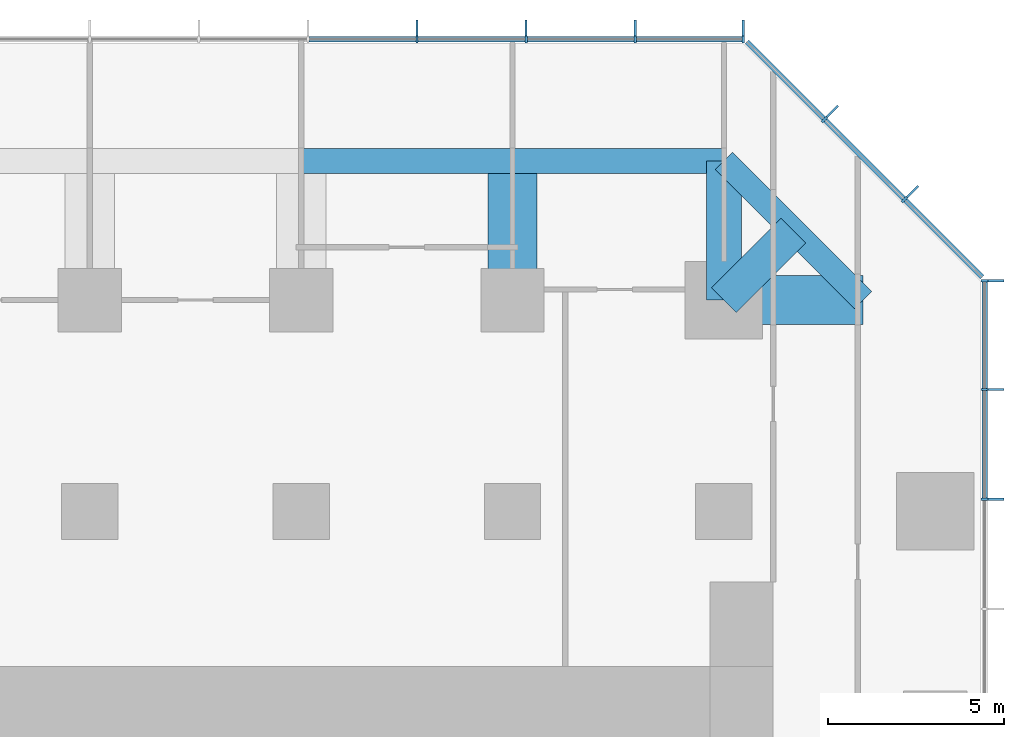
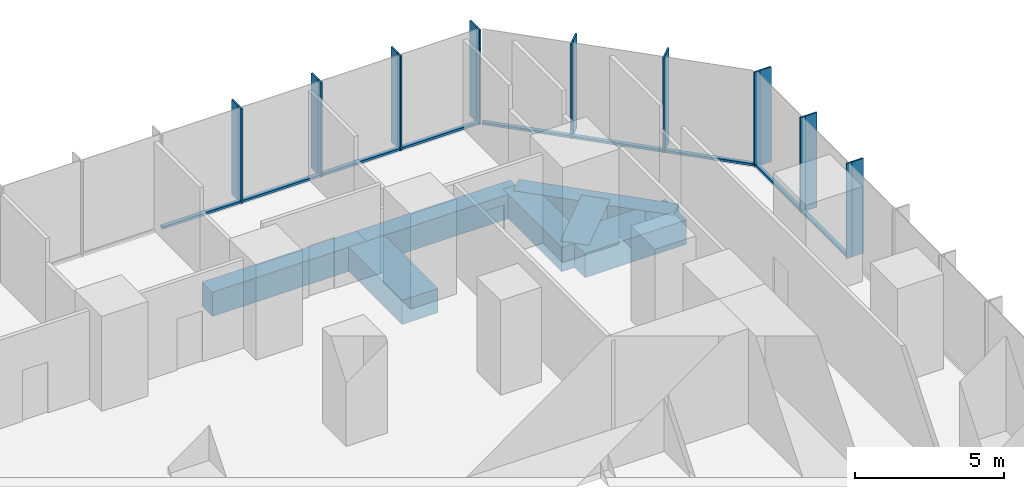
# One storey, part 6 of 11: 27 members, 7 beams, 3 elements without a shape of their own.
"""IFC4 building model written with IfcOpenShell, lengths in metres."""

import ifcopenshell
import ifcopenshell.guid

model = None  # the IFC model being written
_history = None  # IfcOwnerHistory: only IFC2X3 demands one
_inside = {}  # id of a spatial element -> (the spatial element, [elements in it])
_under = {}  # id of a project, library or spatial element -> (it, [spatial elements below it])
_declared = {}  # id of a project -> (the project, [libraries it declares])
_typed = {}  # id of a type object -> (the type object, [elements of that type])
_made_of = {}  # id of a material, layer set ... -> (it, [elements and type objects made of it])


def new_model(schema):
    """Start an empty IFC model of exactly this schema.

    Asked for "IFC4X3", IfcOpenShell would pick the latest addendum, in which some entities
    have other attributes; the version numbers below select the first issue.
    IFC2X3 requires an IfcOwnerHistory on every rooted entity: one is made here for all.
    """
    global model, _history
    if schema == "IFC4X3":
        model = ifcopenshell.file(schema_version=(4, 3, 0, 0))
    else:
        model = ifcopenshell.file(schema=schema)
    _inside.clear()
    _under.clear()
    _declared.clear()
    _typed.clear()
    _made_of.clear()
    _history = None
    if model.schema == "IFC2X3":
        org = make("IfcOrganization", Name="unknown")
        user = make(
            "IfcPersonAndOrganization",
            ThePerson=make("IfcPerson", FamilyName="unknown"),
            TheOrganization=org,
        )
        app = make(
            "IfcApplication",
            ApplicationDeveloper=org,
            Version="unknown",
            ApplicationFullName="unknown",
            ApplicationIdentifier="unknown",
        )
        _history = make(
            "IfcOwnerHistory",
            OwningUser=user,
            OwningApplication=app,
            ChangeAction="ADDED",
            CreationDate=0,
        )
    return model


def make(cls, **values):
    """One entity of the class cls with the attributes given. An attribute that is None is left unset."""
    return model.create_entity(
        cls, **{name: value for name, value in values.items() if value is not None}
    )


def rooted(cls, **values):
    """An entity with a GlobalId (a new one), such as an element, a storey or a relation."""
    return make(cls, GlobalId=ifcopenshell.guid.new(), OwnerHistory=_history, **values)


def si_unit(unit_type, name, prefix=None):
    """IfcSIUnit, for example si_unit("LENGTHUNIT", "METRE", prefix="MILLI")."""
    return make("IfcSIUnit", UnitType=unit_type, Prefix=prefix, Name=name)


def assignment(units):
    """IfcUnitAssignment: the units of a project."""
    return None if units is None else make("IfcUnitAssignment", Units=units)


def point(xyz):
    """IfcCartesianPoint."""
    return None if xyz is None else make("IfcCartesianPoint", Coordinates=xyz)


def direction(xyz):
    """IfcDirection."""
    return None if xyz is None else make("IfcDirection", DirectionRatios=xyz)


def frame(location, z_axis=None, x_axis=None):
    """IfcAxis2Placement3D, a coordinate frame: its origin and axes. An axis left out is left unset."""
    return make(
        "IfcAxis2Placement3D",
        Location=point(location),
        Axis=direction(z_axis),
        RefDirection=direction(x_axis),
    )


def frame_2d(location, x_axis=None):
    """IfcAxis2Placement2D, a coordinate frame in the plane: its origin and x axis."""
    return make(
        "IfcAxis2Placement2D", Location=point(location), RefDirection=direction(x_axis)
    )


def origin():
    """The frame at (0, 0, 0) with its axes left unset."""
    return frame((0.0, 0.0, 0.0))


def origin_2d():
    """The frame at (0, 0) in the plane with its x axis left unset."""
    return frame_2d((0.0, 0.0))


def place(relative_to, where):
    """IfcLocalPlacement: puts the frame where relative to a parent placement (None: the world)."""
    return make(
        "IfcLocalPlacement", PlacementRelTo=relative_to, RelativePlacement=where
    )


def context(
    kind, dimensions, precision=None, world=None, true_north=None, identifier=None
):
    """IfcGeometricRepresentationContext, for example the 3D "Model" context."""
    return make(
        "IfcGeometricRepresentationContext",
        ContextIdentifier=identifier,
        ContextType=kind,
        CoordinateSpaceDimension=dimensions,
        Precision=precision,
        WorldCoordinateSystem=world,
        TrueNorth=true_north,
    )


def subcontext(parent, identifier, kind, view, scale=None):
    """IfcGeometricRepresentationSubContext, for example "Body" below "Model"."""
    return make(
        "IfcGeometricRepresentationSubContext",
        ContextIdentifier=identifier,
        ContextType=kind,
        ParentContext=parent,
        TargetScale=scale,
        TargetView=view,
    )


def project(units=None, contexts=None):
    """IfcProject with its units and contexts."""
    return rooted(
        "IfcProject",
        Name="project",
        RepresentationContexts=contexts,
        UnitsInContext=assignment(units),
    )


def spatial(cls, under=None, at=None, **own):
    """A site, building, storey or space (cls), placed at a placement, below another one or the project."""
    s = rooted(cls, ObjectPlacement=at, **own)
    if under is not None:
        _under.setdefault(under.id(), (under, []))[1].append(s)
    return s


def profile(cls, at=None, kind="AREA", **sizes):
    """A parametric profile (cls). Its sizes go by their IFC names, for example OverallWidth=200.0."""
    return make(cls, ProfileType=kind, Position=at, **sizes)


def rectangle(**sizes):
    """IfcRectangleProfileDef."""
    return profile("IfcRectangleProfileDef", **sizes)


def extrude(swept, where, along, depth):
    """IfcExtrudedAreaSolid: the profile swept, set in the frame where, extruded along a direction by depth."""
    return make(
        "IfcExtrudedAreaSolid",
        SweptArea=swept,
        Position=where,
        ExtrudedDirection=direction(along),
        Depth=depth,
    )


def shape(context_of_items, identifier, shape_type, items):
    """IfcShapeRepresentation: the items that make up one representation, for example the "Body"."""
    return make(
        "IfcShapeRepresentation",
        ContextOfItems=context_of_items,
        RepresentationIdentifier=identifier,
        RepresentationType=shape_type,
        Items=items,
    )


def material(Name=None, Category=None):
    """IfcMaterial."""
    return make("IfcMaterial", Name=Name, Category=Category)


def layer(
    of_material, thickness, ventilated=None, Name=None, Category=None, Priority=None
):
    """IfcMaterialLayer: one layer of a wall or slab, of a material (None: an air gap)."""
    return make(
        "IfcMaterialLayer",
        Material=of_material,
        LayerThickness=thickness,
        IsVentilated=ventilated,
        Name=Name,
        Category=Category,
        Priority=Priority,
    )


def layer_set(layers, Name=None):
    """IfcMaterialLayerSet."""
    return make("IfcMaterialLayerSet", MaterialLayers=layers, LayerSetName=Name)


def material_profile(
    of_material, cross_section, Name=None, Category=None, Priority=None
):
    """IfcMaterialProfile: a cross section and its material."""
    return make(
        "IfcMaterialProfile",
        Name=Name,
        Material=of_material,
        Profile=cross_section,
        Priority=Priority,
        Category=Category,
    )


def profile_set(profiles, Name=None, composite=None):
    """IfcMaterialProfileSet."""
    return make(
        "IfcMaterialProfileSet",
        Name=Name,
        MaterialProfiles=profiles,
        CompositeProfile=composite,
    )


def made_of(thing, what):
    """Note that an element or type object is made of a material, layer set ...; save() writes the relation."""
    if what is not None:
        _made_of.setdefault(what.id(), (what, []))[1].append(thing)
    return thing


def type_object(cls, material=None, **own):
    """A type object (cls), such as IfcWallType, which elements share."""
    return made_of(rooted(cls, **own), material)


def element(
    cls,
    number,
    at=None,
    inside=None,
    cuts=None,
    type_object=None,
    material=None,
    context=None,
    identifier="Body",
    shape_type=None,
    held_by="IfcProductDefinitionShape",
    body=None,
    shapes=None,
    **own,
):
    """One element of the class cls, such as IfcWall. Its Tag is "e" and its number.

    at: its placement. inside: the storey or other place that contains it. cuts: it is an
    opening in that element (IfcRelVoidsElement). A single representation is given by context,
    identifier, shape_type and body (its items); several are given by shapes. held_by: the class
    of the entity that holds the representations. save() writes the other relations.
    """
    e = rooted(cls, Tag="e%d" % number, ObjectPlacement=at, **own)
    if body is not None:
        shapes = [shape(context, identifier, shape_type, body)]
    if shapes is not None:
        e.Representation = make(held_by, Representations=shapes)
    if inside is not None:
        _inside.setdefault(inside.id(), (inside, []))[1].append(e)
    if cuts is not None:
        rooted(
            "IfcRelVoidsElement", RelatingBuildingElement=cuts, RelatedOpeningElement=e
        )
    if type_object is not None:
        _typed.setdefault(type_object.id(), (type_object, []))[1].append(e)
    return made_of(e, material)


def aggregate(whole, parts):
    """IfcRelAggregates: a whole, such as a stair, and the parts it consists of."""
    return rooted("IfcRelAggregates", RelatingObject=whole, RelatedObjects=parts)


def save(model, path):
    """Write the relations noted so far, then the file.

    IfcRelAggregates (storeys below a building ...), IfcRelContainedInSpatialStructure (elements
    in a storey), IfcRelDefinesByType, IfcRelAssociatesMaterial and IfcRelDeclares: one each for
    every whole, place, type object, material and project.
    """
    for whole, parts in _under.values():
        aggregate(whole, parts)
    for where, things in _inside.values():
        rooted(
            "IfcRelContainedInSpatialStructure",
            RelatedElements=things,
            RelatingStructure=where,
        )
    for kind, things in _typed.values():
        rooted("IfcRelDefinesByType", RelatedObjects=things, RelatingType=kind)
    for what, things in _made_of.values():
        rooted("IfcRelAssociatesMaterial", RelatedObjects=things, RelatingMaterial=what)
    for by, libraries in _declared.values():
        rooted("IfcRelDeclares", RelatingContext=by, RelatedDefinitions=libraries)
    model.write(path)


model = new_model("IFC4")

# Units and contexts
model_context = context("Model", 3, precision=1e-05, world=origin(), true_north=direction((0.0, 1.0)))
body_context = subcontext(model_context, "Body", "Model", "MODEL_VIEW")
ifc_project = project(units=[si_unit("LENGTHUNIT", "METRE"), si_unit("AREAUNIT", "SQUARE_METRE"), si_unit("VOLUMEUNIT", "CUBIC_METRE"), si_unit("PLANEANGLEUNIT", "RADIAN"), si_unit("MASSUNIT", "GRAM", prefix="KILO")], contexts=[model_context])

# Site, building, storey
site_placement = place(None, origin())
site = spatial("IfcSite", under=ifc_project, at=site_placement, CompositionType="ELEMENT")
building_placement = place(site_placement, origin())
building = spatial("IfcBuilding", under=site, at=building_placement, Name="Highveld Stack Headquarters", CompositionType="ELEMENT")
storey_placement = place(building_placement, frame((0.0, 0.0, 97.699951171875)))
storey = spatial("IfcBuildingStorey", under=building, at=storey_placement, Name="L23", CompositionType="ELEMENT", Elevation=97.699951171875)

# Beams
ifc_material_1 = material(Name="Concrete C60/75", Category="concrete")
ifc_material_profile_1 = material_profile(ifc_material_1, rectangle(XDim=1.0, YDim=1.0, at=origin_2d()), Name="RC 1000x1000")
ifc_profile_set_1 = profile_set([ifc_material_profile_1], Name="Concrete C60/75")
beam_type_1 = type_object("IfcBeamType", Name="CANTILEVER RIB RC 1000x1000", PredefinedType="USERDEFINED", material=ifc_profile_set_1)
beam_1_placement = place(storey_placement, frame((18.0, 24.0, -0.75), z_axis=(0.0, 1.0, 0.0), x_axis=(-1.0, 0.0, 0.0)))
element("IfcBeam", 1, at=beam_1_placement, inside=storey, type_object=beam_type_1, Name="Cantilever rib 9/J L23", ObjectType="CANTILEVER RIB", PredefinedType="USERDEFINED", context=body_context, shape_type="SweptSolid", body=[
    extrude(rectangle(XDim=1.0, YDim=1.0, at=origin_2d()), origin(), (0.0, 0.0, 1.0), 3.949951171875),
])
beam_2_placement = place(storey_placement, frame((18.0, 24.0, -0.75), z_axis=(0.707106781187, 0.707106781187, 0.0), x_axis=(-0.707106781187, 0.707106781187, 0.0)))
element("IfcBeam", 2, at=beam_2_placement, inside=storey, type_object=beam_type_1, Name="Cantilever rib 9/J L23", ObjectType="CANTILEVER RIB", PredefinedType="USERDEFINED", context=body_context, shape_type="SweptSolid", body=[
    extrude(rectangle(XDim=1.0, YDim=1.0, at=origin_2d()), origin(), (0.0, 0.0, 1.0), 2.793212890625),
])
ifc_material_2 = material(Name="Concrete C60/75", Category="concrete")
ifc_material_profile_2 = material_profile(ifc_material_2, rectangle(XDim=1.39990234375, YDim=1.0, at=origin_2d()), Name="RC 1400x1000")
ifc_profile_set_2 = profile_set([ifc_material_profile_2], Name="Concrete C60/75")
beam_type_2 = type_object("IfcBeamType", Name="CANTILEVER RIB RC 1400x1000", PredefinedType="USERDEFINED", material=ifc_profile_set_2)
for number, where, z_axis, x_axis, name in (
    (3, (12.0, 24.0, -0.75), (0.0, 1.0, 0.0), (-1.0, 0.0, 0.0), "Cantilever rib 8/J L23"),
    (4, (18.0, 24.0, -0.75), (1.0, 0.0, 0.0), (0.0, 1.0, 0.0), "Cantilever rib 9/J L23"),
):
    element("IfcBeam", number, at=place(storey_placement, frame(where, z_axis=z_axis, x_axis=x_axis)), inside=storey, type_object=beam_type_2, Name=name, ObjectType="CANTILEVER RIB", PredefinedType="USERDEFINED", context=body_context, shape_type="SweptSolid", body=[
        extrude(rectangle(XDim=1.39990234375, YDim=1.0, at=origin_2d()), origin(), (0.0, 0.0, 1.0), 3.949951171875),
    ])

# Curtain wall, members
ifc_material_3 = material(Name="Aluminium bronze anodised", Category="aluminium")
ifc_layer_1 = layer(ifc_material_3, 0.199951171875)
ifc_layer_set_1 = layer_set([ifc_layer_1], Name="Aluminium bronze anodised")
curtain_wall_type_1 = type_object("IfcCurtainWallType", Name="CW1 TOWER UNITISED CURTAIN WALL", PredefinedType="NOTDEFINED", material=ifc_layer_set_1)
curtain_wall_1_placement = place(storey_placement, origin())
curtain_wall_1 = element("IfcCurtainWall", 5, at=curtain_wall_1_placement, inside=storey, type_object=curtain_wall_type_1, Name="Curtain wall CW1 L23 E", PredefinedType="NOTDEFINED")
ifc_material_4 = material(Name="Aluminium bronze anodised", Category="aluminium")
ifc_material_profile_3 = material_profile(ifc_material_4, rectangle(XDim=0.449951171875, YDim=0.06005859375, at=origin_2d()), Name="FIN 450x60")
ifc_profile_set_3 = profile_set([ifc_material_profile_3], Name="Aluminium bronze anodised")
member_type_1 = type_object("IfcMemberType", Name="CW1 BRONZE FIN 450x60", PredefinedType="USERDEFINED", material=ifc_profile_set_3)
member_1_placement = place(storey_placement, frame((25.72509765625, 18.347900390625, 0.0), z_axis=(0.0, 0.0, 1.0), x_axis=(-1.0, 0.0, 0.0)))
member_1 = element("IfcMember", 6, at=member_1_placement, type_object=member_type_1, Name="CW1 fin L23 9", ObjectType="FIN", PredefinedType="USERDEFINED", context=body_context, shape_type="SweptSolid", body=[
    extrude(rectangle(XDim=0.449951171875, YDim=0.06005859375, at=origin_2d()), origin(), (0.0, 0.0, 1.0), 3.900146484375),
])
member_2_placement = place(storey_placement, frame((25.72509765625, 21.4638671875, 0.0), z_axis=(0.0, 0.0, 1.0), x_axis=(-1.0, 0.0, 0.0)))
member_2 = element("IfcMember", 7, at=member_2_placement, type_object=member_type_1, Name="CW1 fin L23 10", ObjectType="FIN", PredefinedType="USERDEFINED", context=body_context, shape_type="SweptSolid", body=[
    extrude(rectangle(XDim=0.449951171875, YDim=0.06005859375, at=origin_2d()), origin(), (0.0, 0.0, 1.0), 3.900146484375),
])
member_3_placement = place(storey_placement, frame((25.72509765625, 24.54736328125, 0.0), z_axis=(0.0, 0.0, 1.0), x_axis=(-1.0, 0.0, 0.0)))
member_3 = element("IfcMember", 8, at=member_3_placement, type_object=member_type_1, Name="CW1 fin L23 11", ObjectType="FIN", PredefinedType="USERDEFINED", context=body_context, shape_type="SweptSolid", body=[
    extrude(rectangle(XDim=0.449951171875, YDim=0.06005859375, at=origin_2d()), origin(), (0.0, 0.0, 1.0), 3.900146484375),
])

curtain_wall_2_placement = place(storey_placement, origin())
curtain_wall_2 = element("IfcCurtainWall", 9, at=curtain_wall_2_placement, inside=storey, type_object=curtain_wall_type_1, Name="Curtain wall CW1 L23 N", PredefinedType="NOTDEFINED")
member_4_placement = place(storey_placement, frame((18.54736328125, 31.72509765625, 0.0), z_axis=(0.0, 0.0, 1.0), x_axis=(0.0, -1.0, 0.0)))
member_4 = element("IfcMember", 10, at=member_4_placement, type_object=member_type_1, Name="CW1 fin L23 1", ObjectType="FIN", PredefinedType="USERDEFINED", context=body_context, shape_type="SweptSolid", body=[
    extrude(rectangle(XDim=0.449951171875, YDim=0.06005859375, at=origin_2d()), origin(), (0.0, 0.0, 1.0), 3.900146484375),
])
member_5_placement = place(storey_placement, frame((15.483154296875, 31.72509765625, 0.0), z_axis=(0.0, 0.0, 1.0), x_axis=(0.0, -1.0, 0.0)))
member_5 = element("IfcMember", 11, at=member_5_placement, type_object=member_type_1, Name="CW1 fin L23 2", ObjectType="FIN", PredefinedType="USERDEFINED", context=body_context, shape_type="SweptSolid", body=[
    extrude(rectangle(XDim=0.449951171875, YDim=0.06005859375, at=origin_2d()), origin(), (0.0, 0.0, 1.0), 3.900146484375),
])
member_6_placement = place(storey_placement, frame((12.38671875, 31.72509765625, 0.0), z_axis=(0.0, 0.0, 1.0), x_axis=(0.0, -1.0, 0.0)))
member_6 = element("IfcMember", 12, at=member_6_placement, type_object=member_type_1, Name="CW1 fin L23 3", ObjectType="FIN", PredefinedType="USERDEFINED", context=body_context, shape_type="SweptSolid", body=[
    extrude(rectangle(XDim=0.449951171875, YDim=0.06005859375, at=origin_2d()), origin(), (0.0, 0.0, 1.0), 3.900146484375),
])
member_7_placement = place(storey_placement, frame((9.289794921875, 31.72509765625, 0.0), z_axis=(0.0, 0.0, 1.0), x_axis=(0.0, -1.0, 0.0)))
member_7 = element("IfcMember", 13, at=member_7_placement, type_object=member_type_1, Name="CW1 fin L23 4", ObjectType="FIN", PredefinedType="USERDEFINED", context=body_context, shape_type="SweptSolid", body=[
    extrude(rectangle(XDim=0.449951171875, YDim=0.06005859375, at=origin_2d()), origin(), (0.0, 0.0, 1.0), 3.900146484375),
])

# Member
ifc_material_5 = material(Name="Aluminium bronze anodised", Category="aluminium")
ifc_material_profile_4 = material_profile(ifc_material_5, rectangle(XDim=0.199951171875, YDim=0.06494140625, at=origin_2d()), Name="CW1 MULLION 65x200")
ifc_profile_set_4 = profile_set([ifc_material_profile_4], Name="Aluminium bronze anodised")
member_type_2 = type_object("IfcMemberType", Name="CW1 MULLION 65x200", PredefinedType="MULLION", material=ifc_profile_set_4)
member_8_placement = place(storey_placement, frame((25.39990234375, 18.347900390625, 0.0), z_axis=(0.0, 0.0, 1.0), x_axis=(-1.0, 0.0, 0.0)))
member_8 = element("IfcMember", 14, at=member_8_placement, type_object=member_type_2, Name="CW1 mullion L23 9", PredefinedType="MULLION", context=body_context, shape_type="SweptSolid", body=[
    extrude(rectangle(XDim=0.199951171875, YDim=0.06494140625, at=origin_2d()), origin(), (0.0, 0.0, 1.0), 3.900146484375),
])

member_9_placement = place(storey_placement, frame((25.39990234375, 21.4638671875, 0.0), z_axis=(0.0, 0.0, 1.0), x_axis=(-1.0, 0.0, 0.0)))
member_9 = element("IfcMember", 15, at=member_9_placement, type_object=member_type_2, Name="CW1 mullion L23 10", PredefinedType="MULLION", context=body_context, shape_type="SweptSolid", body=[
    extrude(rectangle(XDim=0.199951171875, YDim=0.06494140625, at=origin_2d()), origin(), (0.0, 0.0, 1.0), 3.900146484375),
])

member_10_placement = place(storey_placement, frame((25.39990234375, 24.54736328125, 0.0), z_axis=(0.0, 0.0, 1.0), x_axis=(-1.0, 0.0, 0.0)))
member_10 = element("IfcMember", 16, at=member_10_placement, type_object=member_type_2, Name="CW1 mullion L23 11", PredefinedType="MULLION", context=body_context, shape_type="SweptSolid", body=[
    extrude(rectangle(XDim=0.199951171875, YDim=0.06494140625, at=origin_2d()), origin(), (0.0, 0.0, 1.0), 3.900146484375),
])

member_11_placement = place(storey_placement, frame((18.54736328125, 31.39990234375, 0.0), z_axis=(0.0, 0.0, 1.0), x_axis=(0.0, -1.0, 0.0)))
member_11 = element("IfcMember", 17, at=member_11_placement, type_object=member_type_2, Name="CW1 mullion L23 1", PredefinedType="MULLION", context=body_context, shape_type="SweptSolid", body=[
    extrude(rectangle(XDim=0.199951171875, YDim=0.06494140625, at=origin_2d()), origin(), (0.0, 0.0, 1.0), 3.900146484375),
])

member_12_placement = place(storey_placement, frame((15.483154296875, 31.39990234375, 0.0), z_axis=(0.0, 0.0, 1.0), x_axis=(0.0, -1.0, 0.0)))
member_12 = element("IfcMember", 18, at=member_12_placement, type_object=member_type_2, Name="CW1 mullion L23 2", PredefinedType="MULLION", context=body_context, shape_type="SweptSolid", body=[
    extrude(rectangle(XDim=0.199951171875, YDim=0.06494140625, at=origin_2d()), origin(), (0.0, 0.0, 1.0), 3.900146484375),
])

member_13_placement = place(storey_placement, frame((12.38671875, 31.39990234375, 0.0), z_axis=(0.0, 0.0, 1.0), x_axis=(0.0, -1.0, 0.0)))
member_13 = element("IfcMember", 19, at=member_13_placement, type_object=member_type_2, Name="CW1 mullion L23 3", PredefinedType="MULLION", context=body_context, shape_type="SweptSolid", body=[
    extrude(rectangle(XDim=0.199951171875, YDim=0.06494140625, at=origin_2d()), origin(), (0.0, 0.0, 1.0), 3.900146484375),
])

member_14_placement = place(storey_placement, frame((9.289794921875, 31.39990234375, 0.0), z_axis=(0.0, 0.0, 1.0), x_axis=(0.0, -1.0, 0.0)))
member_14 = element("IfcMember", 20, at=member_14_placement, type_object=member_type_2, Name="CW1 mullion L23 4", PredefinedType="MULLION", context=body_context, shape_type="SweptSolid", body=[
    extrude(rectangle(XDim=0.199951171875, YDim=0.06494140625, at=origin_2d()), origin(), (0.0, 0.0, 1.0), 3.900146484375),
])

ifc_material_6 = material(Name="Aluminium bronze anodised", Category="aluminium")
ifc_material_profile_5 = material_profile(ifc_material_6, rectangle(XDim=0.14990234375, YDim=0.10009765625, at=origin_2d()), Name="CW1 TRANSOM 150x100")
ifc_profile_set_5 = profile_set([ifc_material_profile_5], Name="Aluminium bronze anodised")
member_type_3 = type_object("IfcMemberType", Name="CW1 STACK TRANSOM 150x100", PredefinedType="USERDEFINED", material=ifc_profile_set_5)
member_15_placement = place(storey_placement, frame((25.39990234375, 18.38037109375, 0.050048828125), z_axis=(0.0, 1.0, 0.0), x_axis=(-1.0, 0.0, 0.0)))
member_15 = element("IfcMember", 21, at=member_15_placement, type_object=member_type_3, Name="CW1 transom L23 9.1", ObjectType="TRANSOM", PredefinedType="USERDEFINED", context=body_context, shape_type="SweptSolid", body=[
    extrude(rectangle(XDim=0.14990234375, YDim=0.10009765625, at=origin_2d()), origin(), (0.0, 0.0, 1.0), 3.051025390625),
])

member_16_placement = place(storey_placement, frame((25.39990234375, 21.496337890625, 0.050048828125), z_axis=(0.0, 1.0, 0.0), x_axis=(-1.0, 0.0, 0.0)))
member_16 = element("IfcMember", 22, at=member_16_placement, type_object=member_type_3, Name="CW1 transom L23 10.1", ObjectType="TRANSOM", PredefinedType="USERDEFINED", context=body_context, shape_type="SweptSolid", body=[
    extrude(rectangle(XDim=0.14990234375, YDim=0.10009765625, at=origin_2d()), origin(), (0.0, 0.0, 1.0), 3.0185546875),
])

aggregate(curtain_wall_1, [member_8, member_1, member_9, member_2, member_10, member_3, member_15, member_16])

member_17_placement = place(storey_placement, frame((18.514892578125, 31.39990234375, 0.050048828125), z_axis=(-1.0, 0.0, 0.0), x_axis=(0.0, -1.0, 0.0)))
member_17 = element("IfcMember", 23, at=member_17_placement, type_object=member_type_3, Name="CW1 transom L23 1.1", ObjectType="TRANSOM", PredefinedType="USERDEFINED", context=body_context, shape_type="SweptSolid", body=[
    extrude(rectangle(XDim=0.14990234375, YDim=0.10009765625, at=origin_2d()), origin(), (0.0, 0.0, 1.0), 2.999267578125),
])

member_18_placement = place(storey_placement, frame((15.45068359375, 31.39990234375, 0.050048828125), z_axis=(-1.0, 0.0, 0.0), x_axis=(0.0, -1.0, 0.0)))
member_18 = element("IfcMember", 24, at=member_18_placement, type_object=member_type_3, Name="CW1 transom L23 2.1", ObjectType="TRANSOM", PredefinedType="USERDEFINED", context=body_context, shape_type="SweptSolid", body=[
    extrude(rectangle(XDim=0.14990234375, YDim=0.10009765625, at=origin_2d()), origin(), (0.0, 0.0, 1.0), 3.031494140625),
])

member_19_placement = place(storey_placement, frame((12.35400390625, 31.39990234375, 0.050048828125), z_axis=(-1.0, 0.0, 0.0), x_axis=(0.0, -1.0, 0.0)))
member_19 = element("IfcMember", 25, at=member_19_placement, type_object=member_type_3, Name="CW1 transom L23 3.1", ObjectType="TRANSOM", PredefinedType="USERDEFINED", context=body_context, shape_type="SweptSolid", body=[
    extrude(rectangle(XDim=0.14990234375, YDim=0.10009765625, at=origin_2d()), origin(), (0.0, 0.0, 1.0), 3.031494140625),
])

member_20_placement = place(storey_placement, frame((9.25732421875, 31.39990234375, 0.050048828125), z_axis=(-1.0, 0.0, 0.0), x_axis=(0.0, -1.0, 0.0)))
member_20 = element("IfcMember", 26, at=member_20_placement, type_object=member_type_3, Name="CW1 transom L23 4.1", ObjectType="TRANSOM", PredefinedType="USERDEFINED", context=body_context, shape_type="SweptSolid", body=[
    extrude(rectangle(XDim=0.14990234375, YDim=0.10009765625, at=origin_2d()), origin(), (0.0, 0.0, 1.0), 3.031494140625),
])

aggregate(curtain_wall_2, [member_11, member_4, member_12, member_5, member_13, member_6, member_14, member_7, member_17, member_18, member_19, member_20])

# Curtain wall, members
ifc_material_7 = material(Name="Aluminium bronze anodised", Category="aluminium")
ifc_layer_2 = layer(ifc_material_7, 0.199951171875)
ifc_layer_set_2 = layer_set([ifc_layer_2], Name="Aluminium bronze anodised")
curtain_wall_type_2 = type_object("IfcCurtainWallType", Name="CW2 TOWER CHAMFER UNITISED CURTAIN WALL", PredefinedType="NOTDEFINED", material=ifc_layer_set_2)
curtain_wall_3_placement = place(storey_placement, origin())
curtain_wall_3 = element("IfcCurtainWall", 27, at=curtain_wall_3_placement, inside=storey, type_object=curtain_wall_type_2, Name="Curtain wall CW2 L23 NE", PredefinedType="NOTDEFINED")
ifc_material_8 = material(Name="Aluminium bronze anodised", Category="aluminium")
ifc_material_profile_6 = material_profile(ifc_material_8, rectangle(XDim=0.449951171875, YDim=0.06005859375, at=origin_2d()), Name="FIN 450x60")
ifc_profile_set_6 = profile_set([ifc_material_profile_6], Name="Aluminium bronze anodised")
member_type_4 = type_object("IfcMemberType", Name="CW2 BRONZE FIN 450x60", PredefinedType="USERDEFINED", material=ifc_profile_set_6)
member_21_placement = place(storey_placement, frame((23.3564453125, 27.0830078125, 0.0), z_axis=(0.0, 0.0, 1.0), x_axis=(-0.707106781187, -0.707106781187, 0.0)))
member_21 = element("IfcMember", 28, at=member_21_placement, type_object=member_type_4, Name="CW2 fin L23 1", ObjectType="FIN", PredefinedType="USERDEFINED", context=body_context, shape_type="SweptSolid", body=[
    extrude(rectangle(XDim=0.449951171875, YDim=0.06005859375, at=origin_2d()), origin(), (0.0, 0.0, 1.0), 3.900146484375),
])
member_22_placement = place(storey_placement, frame((21.0830078125, 29.3564453125, 0.0), z_axis=(0.0, 0.0, 1.0), x_axis=(-0.707106781187, -0.707106781187, 0.0)))
member_22 = element("IfcMember", 29, at=member_22_placement, type_object=member_type_4, Name="CW2 fin L23 2", ObjectType="FIN", PredefinedType="USERDEFINED", context=body_context, shape_type="SweptSolid", body=[
    extrude(rectangle(XDim=0.449951171875, YDim=0.06005859375, at=origin_2d()), origin(), (0.0, 0.0, 1.0), 3.900146484375),
])
ifc_material_9 = material(Name="Aluminium bronze anodised", Category="aluminium")
ifc_material_profile_7 = material_profile(ifc_material_9, rectangle(XDim=0.199951171875, YDim=0.06494140625, at=origin_2d()), Name="CW2 MULLION 65x200")
ifc_profile_set_7 = profile_set([ifc_material_profile_7], Name="Aluminium bronze anodised")
member_type_5 = type_object("IfcMemberType", Name="CW2 MULLION 65x200", PredefinedType="MULLION", material=ifc_profile_set_7)
member_23_placement = place(storey_placement, frame((23.126708984375, 26.853271484375, 0.0), z_axis=(0.0, 0.0, 1.0), x_axis=(-0.707106781187, -0.707106781187, 0.0)))
member_23 = element("IfcMember", 30, at=member_23_placement, type_object=member_type_5, Name="CW2 mullion L23 1", PredefinedType="MULLION", context=body_context, shape_type="SweptSolid", body=[
    extrude(rectangle(XDim=0.199951171875, YDim=0.06494140625, at=origin_2d()), origin(), (0.0, 0.0, 1.0), 3.900146484375),
])
member_24_placement = place(storey_placement, frame((20.853271484375, 29.126708984375, 0.0), z_axis=(0.0, 0.0, 1.0), x_axis=(-0.707106781187, -0.707106781187, 0.0)))
member_24 = element("IfcMember", 31, at=member_24_placement, type_object=member_type_5, Name="CW2 mullion L23 2", PredefinedType="MULLION", context=body_context, shape_type="SweptSolid", body=[
    extrude(rectangle(XDim=0.199951171875, YDim=0.06494140625, at=origin_2d()), origin(), (0.0, 0.0, 1.0), 3.900146484375),
])
ifc_material_10 = material(Name="Aluminium bronze anodised", Category="aluminium")
ifc_material_profile_8 = material_profile(ifc_material_10, rectangle(XDim=0.14990234375, YDim=0.10009765625, at=origin_2d()), Name="CW2 TRANSOM 150x100")
ifc_profile_set_8 = profile_set([ifc_material_profile_8], Name="Aluminium bronze anodised")
member_type_6 = type_object("IfcMemberType", Name="CW2 STACK TRANSOM 150x100", PredefinedType="USERDEFINED", material=ifc_profile_set_8)
member_25_placement = place(storey_placement, frame((25.329345703125, 24.650634765625, 0.050048828125), z_axis=(-0.707106781187, 0.707106781187, 0.0), x_axis=(-0.707106781187, -0.707106781187, 0.0)))
member_25 = element("IfcMember", 32, at=member_25_placement, type_object=member_type_6, Name="CW2 transom L23 1.1", ObjectType="TRANSOM", PredefinedType="USERDEFINED", context=body_context, shape_type="SweptSolid", body=[
    extrude(rectangle(XDim=0.14990234375, YDim=0.10009765625, at=origin_2d()), origin(), (0.0, 0.0, 1.0), 3.08251953125),
])
member_26_placement = place(storey_placement, frame((23.103759765625, 26.876220703125, 0.050048828125), z_axis=(-0.707106781187, 0.707106781187, 0.0), x_axis=(-0.707106781187, -0.707106781187, 0.0)))
member_26 = element("IfcMember", 33, at=member_26_placement, type_object=member_type_6, Name="CW2 transom L23 2.1", ObjectType="TRANSOM", PredefinedType="USERDEFINED", context=body_context, shape_type="SweptSolid", body=[
    extrude(rectangle(XDim=0.14990234375, YDim=0.10009765625, at=origin_2d()), origin(), (0.0, 0.0, 1.0), 3.150146484375),
])
member_27_placement = place(storey_placement, frame((20.830322265625, 29.149658203125, 0.050048828125), z_axis=(-0.707106781187, 0.707106781187, 0.0), x_axis=(-0.707106781187, -0.707106781187, 0.0)))
member_27 = element("IfcMember", 34, at=member_27_placement, type_object=member_type_6, Name="CW2 transom L23 3.1", ObjectType="TRANSOM", PredefinedType="USERDEFINED", context=body_context, shape_type="SweptSolid", body=[
    extrude(rectangle(XDim=0.14990234375, YDim=0.10009765625, at=origin_2d()), origin(), (0.0, 0.0, 1.0), 3.08251953125),
])
aggregate(curtain_wall_3, [member_23, member_21, member_24, member_22, member_25, member_26, member_27])

# Beams
ifc_material_11 = material(Name="Concrete C60/75", Category="concrete")
ifc_material_profile_9 = material_profile(ifc_material_11, rectangle(XDim=0.699951171875, YDim=1.0, at=origin_2d()), Name="RC 700x1000")
ifc_profile_set_9 = profile_set([ifc_material_profile_9], Name="Concrete C60/75")
beam_type_3 = type_object("IfcBeamType", Name="RIB TIP BEAM RC 700x1000", PredefinedType="SPANDREL", material=ifc_profile_set_9)
for number, where, z_axis, x_axis, name in (
    (35, (6.0, 27.949951171875, -0.75), (1.0, 0.0, 0.0), (0.0, 1.0, 0.0), "Rib tip beam 7/J to 8/J L23"),
    (36, (12.0, 27.949951171875, -0.75), (1.0, 0.0, 0.0), (0.0, 1.0, 0.0), "Rib tip beam 8/J to 9/J L23"),
):
    element("IfcBeam", number, at=place(storey_placement, frame(where, z_axis=z_axis, x_axis=x_axis)), inside=storey, type_object=beam_type_3, Name=name, PredefinedType="SPANDREL", context=body_context, shape_type="SweptSolid", body=[
        extrude(rectangle(XDim=0.699951171875, YDim=1.0, at=origin_2d()), origin(), (0.0, 0.0, 1.0), 6.0),
    ])
beam_3_placement = place(storey_placement, frame((21.949951171875, 24.0, -0.75), z_axis=(-0.707106781187, 0.707106781187, 0.0), x_axis=(-0.707106781187, -0.707106781187, 0.0)))
element("IfcBeam", 37, at=beam_3_placement, inside=storey, type_object=beam_type_3, Name="Rib tip beam 9/J corner L23", PredefinedType="SPANDREL", context=body_context, shape_type="SweptSolid", body=[
    extrude(rectangle(XDim=0.699951171875, YDim=1.0, at=origin_2d()), origin(), (0.0, 0.0, 1.0), 5.586181640625),
])

save(model, "model.ifc")
